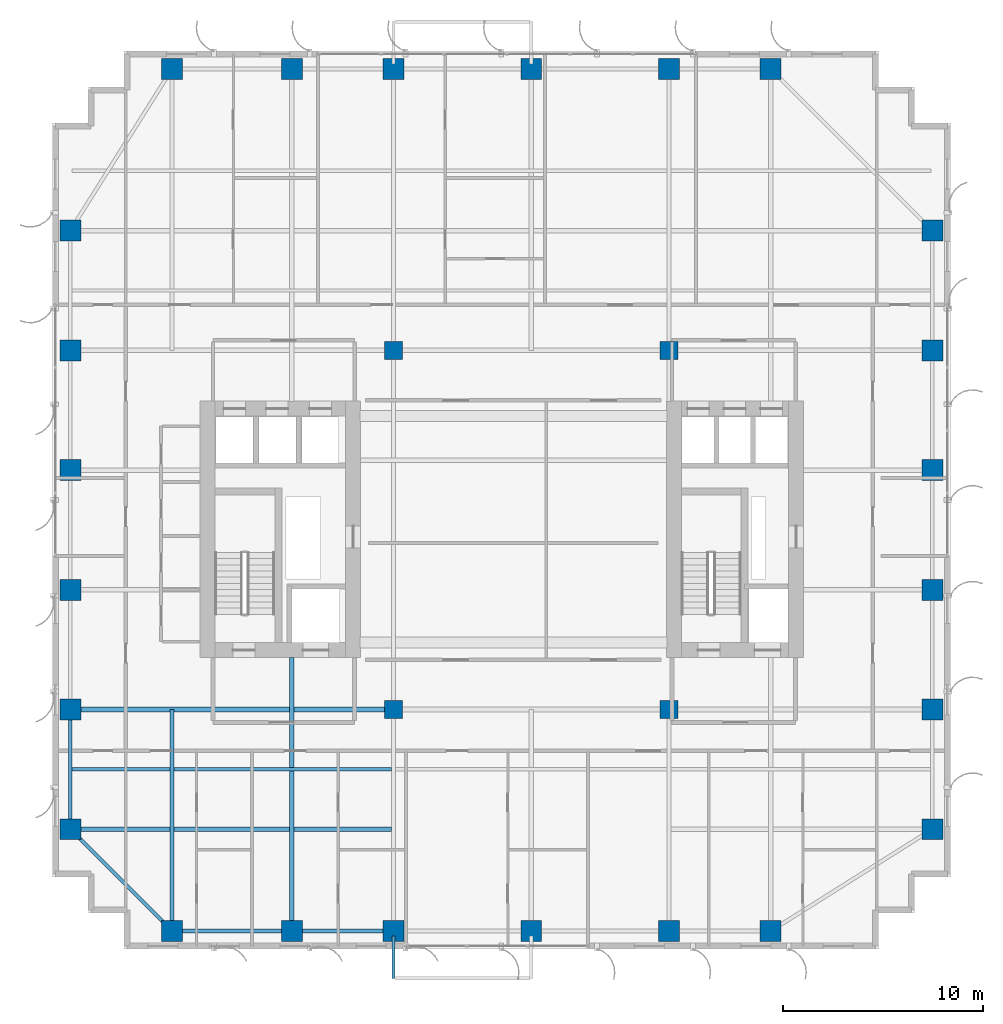
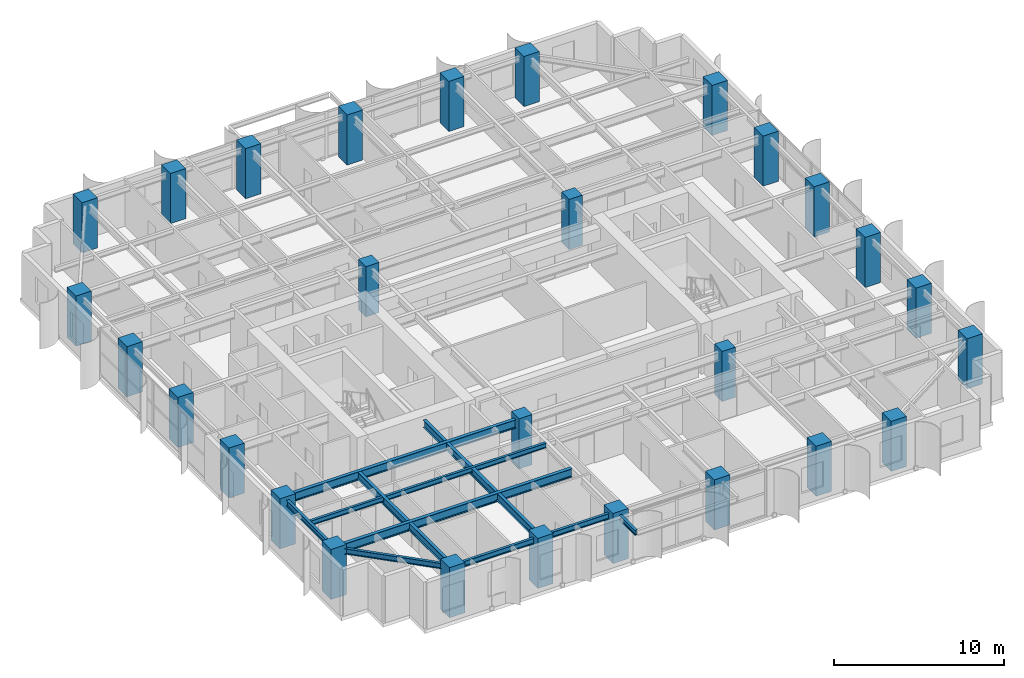
# One storey, part 1 of 25: 28 columns, 10 beams.
"""IFC4 building model written with IfcOpenShell, lengths in metres."""

from ifc_helpers import new_model, si_unit, direction, frame, origin, origin_2d, place, context, subcontext, project, spatial, rectangle, i_section, extrude, source, transform, mapped, material, material_profile, profile_set, type_object, element, save


model = new_model("IFC4")

# Units and contexts
model_context = context("Model", 3, precision=1e-05, world=origin(), true_north=direction((0.0, 1.0)))
body_context = subcontext(model_context, "Body", "Model", "MODEL_VIEW")
ifc_project = project(units=[si_unit("LENGTHUNIT", "METRE"), si_unit("AREAUNIT", "SQUARE_METRE"), si_unit("VOLUMEUNIT", "CUBIC_METRE"), si_unit("PLANEANGLEUNIT", "RADIAN"), si_unit("MASSUNIT", "GRAM", prefix="KILO")], contexts=[model_context])

# Site, building, storey
site_placement = place(None, origin())
site = spatial("IfcSite", under=ifc_project, at=site_placement, CompositionType="ELEMENT")
building_placement = place(site_placement, origin())
building = spatial("IfcBuilding", under=site, at=building_placement, Name="Khoralis Quay Care Tower", CompositionType="ELEMENT")
storey_placement = place(building_placement, frame((0.0, 0.0, 134.10009765625)))
storey = spatial("IfcBuildingStorey", under=building, at=storey_placement, Name="L35", CompositionType="ELEMENT", Elevation=134.10009765625)

# Columns
ifc_material_1 = material(Name="Concrete C65/80", Category="concrete")
ifc_material_profile_1 = material_profile(ifc_material_1, rectangle(XDim=1.050048828125, YDim=1.050048828125, at=origin_2d()), Name="Concrete C65/80")
ifc_profile_set_1 = profile_set([ifc_material_profile_1], Name="Concrete C65/80")
column_type_1 = type_object("IfcColumnType", Name="COL-C1050", PredefinedType="COLUMN", material=ifc_profile_set_1)
shared_shape_1 = source(origin(), body_context, "Body", "SweptSolid", [
    extrude(rectangle(XDim=1.050048828125, YDim=1.050048828125, at=origin_2d()), origin(), (0.0, 0.0, 1.0), 3.599853515625),
])
for number, where, z_axis, x_axis, name in (
    (1, (6.0, 0.89990234375, 0.0), (0.0, 0.0, 1.0), (1.0, 0.0, 0.0), "COL-TWR-L35-01"),
    (2, (6.0, 44.10009765625, 0.0), (0.0, 0.0, 1.0), (1.0, 0.0, 0.0), "COL-TWR-L35-02"),
    (3, (12.0, 0.89990234375, 0.0), (0.0, 0.0, 1.0), (1.0, 0.0, 0.0), "COL-TWR-L35-03"),
    (4, (12.0, 44.10009765625, 0.0), (0.0, 0.0, 1.0), (1.0, 0.0, 0.0), "COL-TWR-L35-04"),
    (5, (17.10009765625, 0.89990234375, 0.0), (0.0, 0.0, 1.0), (1.0, 0.0, 0.0), "COL-TWR-L35-05"),
    (6, (17.10009765625, 44.10009765625, 0.0), (0.0, 0.0, 1.0), (1.0, 0.0, 0.0), "COL-TWR-L35-06"),
    (7, (24.0, 0.89990234375, 0.0), (0.0, 0.0, 1.0), (1.0, 0.0, 0.0), "COL-TWR-L35-07"),
    (8, (24.0, 44.10009765625, 0.0), (0.0, 0.0, 1.0), (1.0, 0.0, 0.0), "COL-TWR-L35-08"),
    (9, (30.89990234375, 0.89990234375, 0.0), (0.0, 0.0, 1.0), (1.0, 0.0, 0.0), "COL-TWR-L35-09"),
    (10, (30.89990234375, 44.10009765625, 0.0), (0.0, 0.0, 1.0), (1.0, 0.0, 0.0), "COL-TWR-L35-10"),
    (11, (36.0, 0.89990234375, 0.0), (0.0, 0.0, 1.0), (1.0, 0.0, 0.0), "COL-TWR-L35-11"),
    (12, (36.0, 44.10009765625, 0.0), (0.0, 0.0, 1.0), (1.0, 0.0, 0.0), "COL-TWR-L35-12"),
    (13, (0.89990234375, 6.0, 0.0), (0.0, 0.0, 1.0), (1.0, 0.0, 0.0), "COL-TWR-L35-13"),
    (14, (44.10009765625, 6.0, 0.0), (0.0, 0.0, 1.0), (1.0, 0.0, 0.0), "COL-TWR-L35-14"),
    (15, (0.89990234375, 12.0, 0.0), (0.0, 0.0, 1.0), (1.0, 0.0, 0.0), "COL-TWR-L35-15"),
    (16, (44.10009765625, 12.0, 0.0), (0.0, 0.0, 1.0), (1.0, 0.0, 0.0), "COL-TWR-L35-16"),
    (17, (0.89990234375, 18.0, 0.0), (0.0, 0.0, 1.0), (1.0, 0.0, 0.0), "COL-TWR-L35-17"),
    (18, (44.10009765625, 18.0, 0.0), (0.0, 0.0, 1.0), (1.0, 0.0, 0.0), "COL-TWR-L35-18"),
    (19, (0.89990234375, 24.0, 0.0), (0.0, 0.0, 1.0), (1.0, 0.0, 0.0), "COL-TWR-L35-19"),
    (20, (44.10009765625, 24.0, 0.0), (0.0, 0.0, 1.0), (1.0, 0.0, 0.0), "COL-TWR-L35-20"),
    (21, (0.89990234375, 30.0, 0.0), (0.0, 0.0, 1.0), (1.0, 0.0, 0.0), "COL-TWR-L35-21"),
    (22, (44.10009765625, 30.0, 0.0), (0.0, 0.0, 1.0), (1.0, 0.0, 0.0), "COL-TWR-L35-22"),
    (23, (0.89990234375, 36.0, 0.0), (0.0, 0.0, 1.0), (1.0, 0.0, 0.0), "COL-TWR-L35-23"),
    (24, (44.10009765625, 36.0, 0.0), (0.0, 0.0, 1.0), (1.0, 0.0, 0.0), "COL-TWR-L35-24"),
):
    element("IfcColumn", number, at=place(storey_placement, frame(where, z_axis=z_axis, x_axis=x_axis)), inside=storey, type_object=column_type_1, Name=name, PredefinedType="COLUMN", context=body_context, shape_type="MappedRepresentation", body=[
        mapped(shared_shape_1, transform((0.0, 0.0, 0.0), scale=1.0)),
    ])
ifc_material_profile_2 = material_profile(ifc_material_1, rectangle(XDim=0.89990234375, YDim=0.89990234375, at=origin_2d()), Name="Concrete C65/80")
ifc_profile_set_2 = profile_set([ifc_material_profile_2], Name="Concrete C65/80")
column_type_2 = type_object("IfcColumnType", Name="COL-C900", PredefinedType="COLUMN", material=ifc_profile_set_2)
shared_shape_2 = source(origin(), body_context, "Body", "SweptSolid", [
    extrude(rectangle(XDim=0.89990234375, YDim=0.89990234375, at=origin_2d()), origin(), (0.0, 0.0, 1.0), 3.599853515625),
])
for number, where, z_axis, x_axis, name in (
    (25, (17.10009765625, 12.0, 0.0), (0.0, 0.0, 1.0), (1.0, 0.0, 0.0), "COL-TWR-L35-25"),
    (26, (17.10009765625, 30.0, 0.0), (0.0, 0.0, 1.0), (1.0, 0.0, 0.0), "COL-TWR-L35-26"),
    (27, (30.89990234375, 12.0, 0.0), (0.0, 0.0, 1.0), (1.0, 0.0, 0.0), "COL-TWR-L35-27"),
    (28, (30.89990234375, 30.0, 0.0), (0.0, 0.0, 1.0), (1.0, 0.0, 0.0), "COL-TWR-L35-28"),
):
    element("IfcColumn", number, at=place(storey_placement, frame(where, z_axis=z_axis, x_axis=x_axis)), inside=storey, type_object=column_type_2, Name=name, PredefinedType="COLUMN", context=body_context, shape_type="MappedRepresentation", body=[
        mapped(shared_shape_2, transform((0.0, 0.0, 0.0), scale=1.0)),
    ])

# Beams
ifc_material_2 = material(Name="Steel S355", Category="steel")
ifc_material_profile_3 = material_profile(ifc_material_2, i_section(OverallWidth=0.179931640625, OverallDepth=0.39990234375, WebThickness=0.008544921875, FlangeThickness=0.013427734375, FilletRadius=0.02099609375, at=origin_2d()), Name="Steel S355")
ifc_profile_set_3 = profile_set([ifc_material_profile_3], Name="Steel S355")
beam_type_1 = type_object("IfcBeamType", Name="BM-IPE400", PredefinedType="SPANDREL", material=ifc_profile_set_3)
shared_shape_3 = source(origin(), body_context, "Body", "SweptSolid", [
    extrude(i_section(OverallWidth=0.179931640625, OverallDepth=0.39990234375, WebThickness=0.008544921875, FlangeThickness=0.013427734375, FilletRadius=0.02099609375, at=origin_2d()), origin(), (0.0, 0.0, 1.0), 6.0),
])
for number, where, z_axis, x_axis, name in (
    (29, (6.0, 0.89990234375, 3.139892578125), (1.0, 0.0, 0.0), (0.0, 1.0, 0.0), "BM-TSP-L35-01"),
    (30, (0.89990234375, 6.0, 3.139892578125), (0.0, 1.0, 0.0), (-1.0, 0.0, 0.0), "BM-TSP-L35-11"),
):
    element("IfcBeam", number, at=place(storey_placement, frame(where, z_axis=z_axis, x_axis=x_axis)), inside=storey, type_object=beam_type_1, Name=name, PredefinedType="SPANDREL", context=body_context, shape_type="MappedRepresentation", body=[
        mapped(shared_shape_3, transform((0.0, 0.0, 0.0), scale=1.0)),
    ])
shared_shape_4 = source(origin(), body_context, "Body", "SweptSolid", [
    extrude(i_section(OverallWidth=0.179931640625, OverallDepth=0.39990234375, WebThickness=0.008544921875, FlangeThickness=0.013427734375, FilletRadius=0.02099609375, at=origin_2d()), origin(), (0.0, 0.0, 1.0), 5.10009765625),
])
beam_1_placement = place(storey_placement, frame((12.0, 0.89990234375, 3.139892578125), z_axis=(1.0, 0.0, 0.0), x_axis=(0.0, 1.0, 0.0)))
element("IfcBeam", 31, at=beam_1_placement, inside=storey, type_object=beam_type_1, Name="BM-TSP-L35-02", PredefinedType="SPANDREL", context=body_context, shape_type="MappedRepresentation", body=[
    mapped(shared_shape_4, transform((0.0, 0.0, 0.0), scale=1.0)),
])
shared_shape_5 = source(origin(), body_context, "Body", "SweptSolid", [
    extrude(i_section(OverallWidth=0.179931640625, OverallDepth=0.39990234375, WebThickness=0.008544921875, FlangeThickness=0.013427734375, FilletRadius=0.02099609375, at=origin_2d()), origin(), (0.0, 0.0, 1.0), 7.212646484375),
])
beam_2_placement = place(storey_placement, frame((6.0, 0.89990234375, 3.139892578125), z_axis=(-0.707106781187, 0.707106781187, 0.0), x_axis=(-0.707106781187, -0.707106781187, 0.0)))
element("IfcBeam", 32, at=beam_2_placement, inside=storey, type_object=beam_type_1, Name="BM-TCR-L35-21", PredefinedType="SPANDREL", context=body_context, shape_type="MappedRepresentation", body=[
    mapped(shared_shape_5, transform((0.0, 0.0, 0.0), scale=1.0)),
])
ifc_material_profile_4 = material_profile(ifc_material_2, i_section(OverallWidth=0.22998046875, OverallDepth=0.616943359375, WebThickness=0.01318359375, FlangeThickness=0.022216796875, FilletRadius=0.01806640625, at=origin_2d()), Name="Steel S355")
ifc_profile_set_4 = profile_set([ifc_material_profile_4], Name="Steel S355")
beam_type_2 = type_object("IfcBeamType", Name="BM-W610X140", PredefinedType="BEAM", material=ifc_profile_set_4)
shared_shape_6 = source(origin(), body_context, "Body", "SweptSolid", [
    extrude(i_section(OverallWidth=0.22998046875, OverallDepth=0.616943359375, WebThickness=0.01318359375, FlangeThickness=0.022216796875, FilletRadius=0.01806640625, at=origin_2d()), origin(), (0.0, 0.0, 1.0), 16.106201171875),
])
beam_3_placement = place(storey_placement, frame((0.89990234375, 6.0, 3.031494140625), z_axis=(1.0, 0.0, 0.0), x_axis=(0.0, 1.0, 0.0)))
element("IfcBeam", 33, at=beam_3_placement, inside=storey, type_object=beam_type_2, Name="BM-TGXW-L35-60", PredefinedType="BEAM", context=body_context, shape_type="MappedRepresentation", body=[
    mapped(shared_shape_6, transform((0.0, 0.0, 0.0), scale=1.0)),
])
shared_shape_7 = source(origin(), body_context, "Body", "SweptSolid", [
    extrude(i_section(OverallWidth=0.22998046875, OverallDepth=0.616943359375, WebThickness=0.01318359375, FlangeThickness=0.022216796875, FilletRadius=0.01806640625, at=origin_2d()), origin(), (0.0, 0.0, 1.0), 16.2001953125),
])
beam_4_placement = place(storey_placement, frame((0.89990234375, 12.0, 3.031494140625), z_axis=(1.0, 0.0, 0.0), x_axis=(0.0, 1.0, 0.0)))
element("IfcBeam", 34, at=beam_4_placement, inside=storey, type_object=beam_type_2, Name="BM-TGXW-L35-120", PredefinedType="BEAM", context=body_context, shape_type="MappedRepresentation", body=[
    mapped(shared_shape_7, transform((0.0, 0.0, 0.0), scale=1.0)),
])
ifc_material_profile_5 = material_profile(ifc_material_2, i_section(OverallWidth=0.2119140625, OverallDepth=0.5439453125, WebThickness=0.01318359375, FlangeThickness=0.021240234375, FilletRadius=0.01611328125, at=origin_2d()), Name="Steel S355")
ifc_profile_set_5 = profile_set([ifc_material_profile_5], Name="Steel S355")
beam_type_3 = type_object("IfcBeamType", Name="BM-W530X123", PredefinedType="BEAM", material=ifc_profile_set_5)
shared_shape_8 = source(origin(), body_context, "Body", "SweptSolid", [
    extrude(i_section(OverallWidth=0.2119140625, OverallDepth=0.5439453125, WebThickness=0.01318359375, FlangeThickness=0.021240234375, FilletRadius=0.01611328125, at=origin_2d()), origin(), (0.0, 0.0, 1.0), 11.10009765625),
])
beam_5_placement = place(storey_placement, frame((6.0, 0.89990234375, 3.06787109375), z_axis=(0.0, 1.0, 0.0), x_axis=(-1.0, 0.0, 0.0)))
element("IfcBeam", 35, at=beam_5_placement, inside=storey, type_object=beam_type_3, Name="BM-TGYS-L35-60", PredefinedType="BEAM", context=body_context, shape_type="MappedRepresentation", body=[
    mapped(shared_shape_8, transform((0.0, 0.0, 0.0), scale=1.0)),
])
shared_shape_9 = source(origin(), body_context, "Body", "SweptSolid", [
    extrude(i_section(OverallWidth=0.2119140625, OverallDepth=0.5439453125, WebThickness=0.01318359375, FlangeThickness=0.021240234375, FilletRadius=0.01611328125, at=origin_2d()), origin(), (0.0, 0.0, 1.0), 13.7021484375),
])
beam_6_placement = place(storey_placement, frame((12.0, 0.89990234375, 3.06787109375), z_axis=(0.0, 1.0, 0.0), x_axis=(-1.0, 0.0, 0.0)))
element("IfcBeam", 36, at=beam_6_placement, inside=storey, type_object=beam_type_3, Name="BM-TGYS-L35-120", PredefinedType="BEAM", context=body_context, shape_type="MappedRepresentation", body=[
    mapped(shared_shape_9, transform((0.0, 0.0, 0.0), scale=1.0)),
])
ifc_material_profile_6 = material_profile(ifc_material_2, i_section(OverallWidth=0.1708984375, OverallDepth=0.35498046875, WebThickness=0.007080078125, FlangeThickness=0.01171875, FilletRadius=0.012939453125, at=origin_2d()), Name="Steel S355")
ifc_profile_set_6 = profile_set([ifc_material_profile_6], Name="Steel S355")
beam_type_4 = type_object("IfcBeamType", Name="BM-W360X51", PredefinedType="JOIST", material=ifc_profile_set_6)
shared_shape_10 = source(origin(), body_context, "Body", "SweptSolid", [
    extrude(i_section(OverallWidth=0.1708984375, OverallDepth=0.35498046875, WebThickness=0.007080078125, FlangeThickness=0.01171875, FilletRadius=0.012939453125, at=origin_2d()), origin(), (0.0, 0.0, 1.0), 16.030029296875),
])
beam_7_placement = place(storey_placement, frame((0.97607421875, 9.0, 3.162353515625), z_axis=(1.0, 0.0, 0.0), x_axis=(0.0, 1.0, 0.0)))
element("IfcBeam", 37, at=beam_7_placement, inside=storey, type_object=beam_type_4, Name="BM-TJS-L35-25", PredefinedType="JOIST", context=body_context, shape_type="MappedRepresentation", body=[
    mapped(shared_shape_10, transform((0.0, 0.0, 0.0), scale=1.0)),
])
ifc_material_profile_7 = material_profile(ifc_material_2, i_section(OverallWidth=0.169921875, OverallDepth=0.360107421875, WebThickness=0.008056640625, FlangeThickness=0.0126953125, FilletRadius=0.01806640625, at=origin_2d()), Name="Steel S355")
ifc_profile_set_7 = profile_set([ifc_material_profile_7], Name="Steel S355")
beam_type_5 = type_object("IfcBeamType", Name="BM-IPE360", PredefinedType="SPANDREL", material=ifc_profile_set_7)
shared_shape_11 = source(origin(), body_context, "Body", "SweptSolid", [
    extrude(i_section(OverallWidth=0.169921875, OverallDepth=0.360107421875, WebThickness=0.008056640625, FlangeThickness=0.0126953125, FilletRadius=0.01806640625, at=origin_2d()), origin(), (0.0, 0.0, 1.0), 2.119873046875),
])
beam_8_placement = place(storey_placement, frame((17.10009765625, 0.64990234375, 3.163818359375), z_axis=(0.0, -1.0, 0.0), x_axis=(1.0, 0.0, 0.0)))
element("IfcBeam", 38, at=beam_8_placement, inside=storey, type_object=beam_type_5, Name="L36 Balcony Cantilever Outrigger Beam 1", PredefinedType="SPANDREL", context=body_context, shape_type="MappedRepresentation", body=[
    mapped(shared_shape_11, transform((0.0, 0.0, 0.0), scale=1.0)),
])

save(model, "model.ifc")
